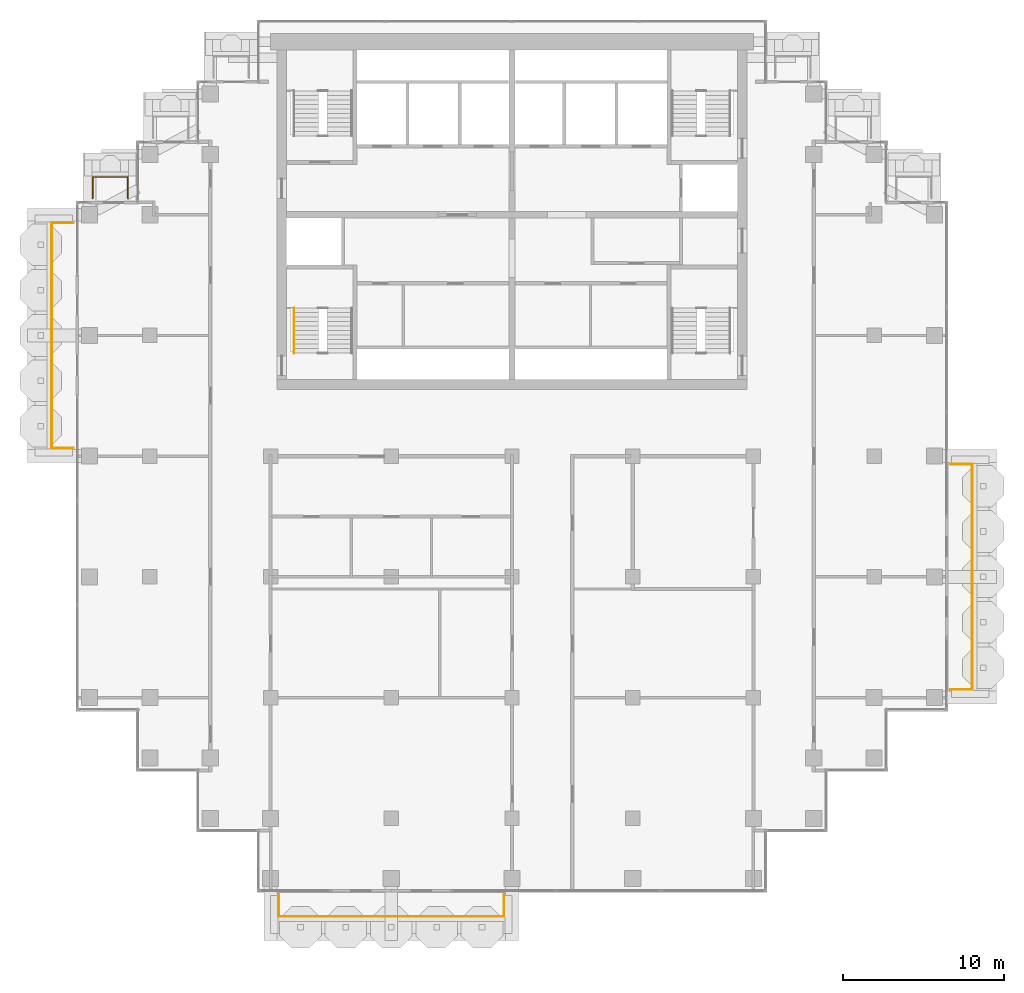
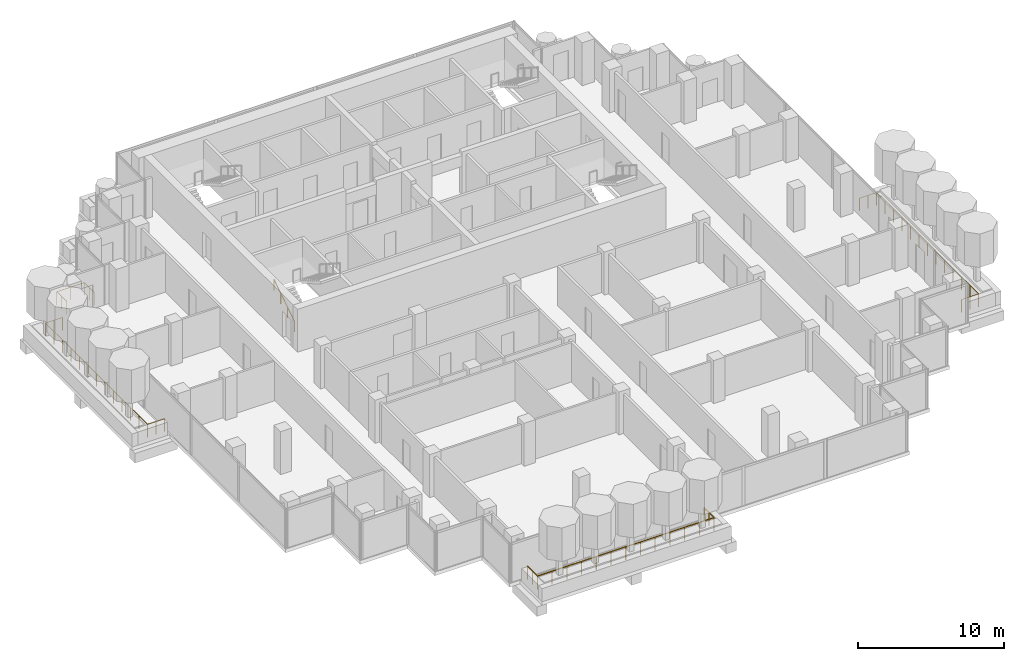
# One storey, part 16 of 18: 5 railings.
"""IFC4 building model written with IfcOpenShell, lengths in metres."""

from ifc_helpers import new_model, si_unit, direction, frame, origin, origin_2d, place, context, subcontext, project, spatial, circle, extrude, material, type_object, element, save


model = new_model("IFC4")

# Units and contexts
model_context = context("Model", 3, precision=1e-05, world=origin(), true_north=direction((0.0, 1.0)))
body_context = subcontext(model_context, "Body", "Model", "MODEL_VIEW")
ifc_project = project(units=[si_unit("LENGTHUNIT", "METRE"), si_unit("AREAUNIT", "SQUARE_METRE"), si_unit("VOLUMEUNIT", "CUBIC_METRE"), si_unit("PLANEANGLEUNIT", "RADIAN"), si_unit("MASSUNIT", "GRAM", prefix="KILO")], contexts=[model_context])

# Site, building, storey
site_placement = place(None, origin())
site = spatial("IfcSite", under=ifc_project, at=site_placement, CompositionType="ELEMENT")
building_placement = place(site_placement, origin())
building = spatial("IfcBuilding", under=site, at=building_placement, Name="Pilkhan Gate Tower", CompositionType="ELEMENT")
storey_placement = place(building_placement, frame((0.0, 0.0, 199.5)))
storey = spatial("IfcBuildingStorey", under=building, at=storey_placement, Name="L51", CompositionType="ELEMENT", Elevation=199.5)

# Railings
ifc_material_1 = material(Name="Pale anodised aluminium posts, laminated glass infill", Category="aluminium")
railing_type_1 = type_object("IfcRailingType", Name="Balcony guard G1", PredefinedType="BALUSTRADE", material=ifc_material_1)
railing_1_placement = place(storey_placement, frame((60.5, 40.25, 0.0)))
element("IfcRailing", 1, at=railing_1_placement, inside=storey, type_object=railing_type_1, Name="Balcony guard L51 S", PredefinedType="BALUSTRADE", context=body_context, shape_type="SweptSolid", body=[
    extrude(circle(Radius=0.02392578125, at=origin_2d()), frame((0.0, 0.0, 1.076171875), z_axis=(0.0, -1.0, 0.0), x_axis=(1.0, 0.0, 0.0)), (0.0, 0.0, 1.0), 1.35009765625),
    extrude(circle(Radius=0.02392578125, at=origin_2d()), frame((0.0, -1.35009765625, 1.076171875), z_axis=(1.0, 0.0, 0.0), x_axis=(0.0, 1.0, 0.0)), (0.0, 0.0, 1.0), 14.0),
    extrude(circle(Radius=0.02392578125, at=origin_2d()), frame((14.0, -1.35009765625, 1.076171875), z_axis=(0.0, 1.0, 0.0), x_axis=(-1.0, 0.0, 0.0)), (0.0, 0.0, 1.0), 1.35009765625),
    extrude(circle(Radius=0.02099609375, at=origin_2d()), origin(), (0.0, 0.0, 1.0), 1.052001953125),
    extrude(circle(Radius=0.02099609375, at=origin_2d()), frame((0.0, -0.675048828125, 0.0)), (0.0, 0.0, 1.0), 1.052001953125),
    extrude(circle(Radius=0.02099609375, at=origin_2d()), frame((0.0, -1.35009765625, 0.0)), (0.0, 0.0, 1.0), 1.052001953125),
    extrude(circle(Radius=0.02099609375, at=origin_2d()), frame((1.166748046875, -1.35009765625, 0.0)), (0.0, 0.0, 1.0), 1.052001953125),
    extrude(circle(Radius=0.02099609375, at=origin_2d()), frame((2.333251953125, -1.35009765625, 0.0)), (0.0, 0.0, 1.0), 1.052001953125),
    extrude(circle(Radius=0.02099609375, at=origin_2d()), frame((3.5, -1.35009765625, 0.0)), (0.0, 0.0, 1.0), 1.052001953125),
    extrude(circle(Radius=0.02099609375, at=origin_2d()), frame((4.666748046875, -1.35009765625, 0.0)), (0.0, 0.0, 1.0), 1.052001953125),
    extrude(circle(Radius=0.02099609375, at=origin_2d()), frame((5.833251953125, -1.35009765625, 0.0)), (0.0, 0.0, 1.0), 1.052001953125),
    extrude(circle(Radius=0.02099609375, at=origin_2d()), frame((7.0, -1.35009765625, 0.0)), (0.0, 0.0, 1.0), 1.052001953125),
    extrude(circle(Radius=0.02099609375, at=origin_2d()), frame((8.166748046875, -1.35009765625, 0.0)), (0.0, 0.0, 1.0), 1.052001953125),
    extrude(circle(Radius=0.02099609375, at=origin_2d()), frame((9.333251953125, -1.35009765625, 0.0)), (0.0, 0.0, 1.0), 1.052001953125),
    extrude(circle(Radius=0.02099609375, at=origin_2d()), frame((10.5, -1.35009765625, 0.0)), (0.0, 0.0, 1.0), 1.052001953125),
    extrude(circle(Radius=0.02099609375, at=origin_2d()), frame((11.666748046875, -1.35009765625, 0.0)), (0.0, 0.0, 1.0), 1.052001953125),
    extrude(circle(Radius=0.02099609375, at=origin_2d()), frame((12.833251953125, -1.35009765625, 0.0)), (0.0, 0.0, 1.0), 1.052001953125),
    extrude(circle(Radius=0.02099609375, at=origin_2d()), frame((14.0, -1.35009765625, 0.0)), (0.0, 0.0, 1.0), 1.052001953125),
    extrude(circle(Radius=0.02099609375, at=origin_2d()), frame((14.0, -0.675048828125, 0.0)), (0.0, 0.0, 1.0), 1.052001953125),
    extrude(circle(Radius=0.02099609375, at=origin_2d()), frame((14.0, 0.0, 0.0)), (0.0, 0.0, 1.0), 1.052001953125),
])
railing_2_placement = place(storey_placement, frame((102.25, 53.0, 0.0)))
element("IfcRailing", 2, at=railing_2_placement, inside=storey, type_object=railing_type_1, Name="Balcony guard L51 E", PredefinedType="BALUSTRADE", context=body_context, shape_type="SweptSolid", body=[
    extrude(circle(Radius=0.02392578125, at=origin_2d()), frame((0.0, 0.0, 1.076171875), z_axis=(1.0, 0.0, 0.0), x_axis=(0.0, 1.0, 0.0)), (0.0, 0.0, 1.0), 1.35009765625),
    extrude(circle(Radius=0.02392578125, at=origin_2d()), frame((1.35009765625, 0.0, 1.076171875), z_axis=(0.0, 1.0, 0.0), x_axis=(-1.0, 0.0, 0.0)), (0.0, 0.0, 1.0), 14.0),
    extrude(circle(Radius=0.02392578125, at=origin_2d()), frame((1.35009765625, 14.0, 1.076171875), z_axis=(-1.0, 0.0, 0.0), x_axis=(0.0, -1.0, 0.0)), (0.0, 0.0, 1.0), 1.35009765625),
    extrude(circle(Radius=0.02099609375, at=origin_2d()), origin(), (0.0, 0.0, 1.0), 1.052001953125),
    extrude(circle(Radius=0.02099609375, at=origin_2d()), frame((0.675048828125, 0.0, 0.0)), (0.0, 0.0, 1.0), 1.052001953125),
    extrude(circle(Radius=0.02099609375, at=origin_2d()), frame((1.35009765625, 0.0, 0.0)), (0.0, 0.0, 1.0), 1.052001953125),
    extrude(circle(Radius=0.02099609375, at=origin_2d()), frame((1.35009765625, 1.166748046875, 0.0)), (0.0, 0.0, 1.0), 1.052001953125),
    extrude(circle(Radius=0.02099609375, at=origin_2d()), frame((1.35009765625, 2.333251953125, 0.0)), (0.0, 0.0, 1.0), 1.052001953125),
    extrude(circle(Radius=0.02099609375, at=origin_2d()), frame((1.35009765625, 3.5, 0.0)), (0.0, 0.0, 1.0), 1.052001953125),
    extrude(circle(Radius=0.02099609375, at=origin_2d()), frame((1.35009765625, 4.666748046875, 0.0)), (0.0, 0.0, 1.0), 1.052001953125),
    extrude(circle(Radius=0.02099609375, at=origin_2d()), frame((1.35009765625, 5.833251953125, 0.0)), (0.0, 0.0, 1.0), 1.052001953125),
    extrude(circle(Radius=0.02099609375, at=origin_2d()), frame((1.35009765625, 7.0, 0.0)), (0.0, 0.0, 1.0), 1.052001953125),
    extrude(circle(Radius=0.02099609375, at=origin_2d()), frame((1.35009765625, 8.166748046875, 0.0)), (0.0, 0.0, 1.0), 1.052001953125),
    extrude(circle(Radius=0.02099609375, at=origin_2d()), frame((1.35009765625, 9.333251953125, 0.0)), (0.0, 0.0, 1.0), 1.052001953125),
    extrude(circle(Radius=0.02099609375, at=origin_2d()), frame((1.35009765625, 10.5, 0.0)), (0.0, 0.0, 1.0), 1.052001953125),
    extrude(circle(Radius=0.02099609375, at=origin_2d()), frame((1.35009765625, 11.666748046875, 0.0)), (0.0, 0.0, 1.0), 1.052001953125),
    extrude(circle(Radius=0.02099609375, at=origin_2d()), frame((1.35009765625, 12.833251953125, 0.0)), (0.0, 0.0, 1.0), 1.052001953125),
    extrude(circle(Radius=0.02099609375, at=origin_2d()), frame((1.35009765625, 14.0, 0.0)), (0.0, 0.0, 1.0), 1.052001953125),
    extrude(circle(Radius=0.02099609375, at=origin_2d()), frame((0.675048828125, 14.0, 0.0)), (0.0, 0.0, 1.0), 1.052001953125),
    extrude(circle(Radius=0.02099609375, at=origin_2d()), frame((0.0, 14.0, 0.0)), (0.0, 0.0, 1.0), 1.052001953125),
])
railing_3_placement = place(storey_placement, frame((48.949951171875, 83.52001953125, 0.0)))
element("IfcRailing", 3, at=railing_3_placement, inside=storey, type_object=railing_type_1, Name="Balcony guard L51 N", PredefinedType="BALUSTRADE", context=body_context, shape_type="SweptSolid", body=[
    extrude(circle(Radius=0.02392578125, at=origin_2d()), frame((0.0, 0.0, 1.076171875), z_axis=(0.0, 1.0, 0.0), x_axis=(-1.0, 0.0, 0.0)), (0.0, 0.0, 1.0), 1.330078125),
    extrude(circle(Radius=0.02392578125, at=origin_2d()), frame((0.0, 1.330078125, 1.076171875), z_axis=(1.0, 0.0, 0.0), x_axis=(0.0, 1.0, 0.0)), (0.0, 0.0, 1.0), 2.179931640625),
    extrude(circle(Radius=0.02392578125, at=origin_2d()), frame((2.179931640625, 1.330078125, 1.076171875), z_axis=(0.0, -1.0, 0.0), x_axis=(1.0, 0.0, 0.0)), (0.0, 0.0, 1.0), 1.330078125),
    extrude(circle(Radius=0.02099609375, at=origin_2d()), origin(), (0.0, 0.0, 1.0), 1.052001953125),
    extrude(circle(Radius=0.02099609375, at=origin_2d()), frame((0.0, 0.6650390625, 0.0)), (0.0, 0.0, 1.0), 1.052001953125),
    extrude(circle(Radius=0.02099609375, at=origin_2d()), frame((0.0, 1.330078125, 0.0)), (0.0, 0.0, 1.0), 1.052001953125),
    extrude(circle(Radius=0.02099609375, at=origin_2d()), frame((1.08984375, 1.330078125, 0.0)), (0.0, 0.0, 1.0), 1.052001953125),
    extrude(circle(Radius=0.02099609375, at=origin_2d()), frame((2.179931640625, 1.330078125, 0.0)), (0.0, 0.0, 1.0), 1.052001953125),
    extrude(circle(Radius=0.02099609375, at=origin_2d()), frame((2.179931640625, 0.6650390625, 0.0)), (0.0, 0.0, 1.0), 1.052001953125),
    extrude(circle(Radius=0.02099609375, at=origin_2d()), frame((2.179931640625, 0.0, 0.0)), (0.0, 0.0, 1.0), 1.052001953125),
])
railing_4_placement = place(storey_placement, frame((47.75, 68.0, 0.0)))
element("IfcRailing", 4, at=railing_4_placement, inside=storey, type_object=railing_type_1, Name="Balcony guard L51 W", PredefinedType="BALUSTRADE", context=body_context, shape_type="SweptSolid", body=[
    extrude(circle(Radius=0.02392578125, at=origin_2d()), frame((0.0, 0.0, 1.076171875), z_axis=(-1.0, 0.0, 0.0), x_axis=(0.0, -1.0, 0.0)), (0.0, 0.0, 1.0), 1.35009765625),
    extrude(circle(Radius=0.02392578125, at=origin_2d()), frame((-1.35009765625, 0.0, 1.076171875), z_axis=(0.0, 1.0, 0.0), x_axis=(-1.0, 0.0, 0.0)), (0.0, 0.0, 1.0), 14.0),
    extrude(circle(Radius=0.02392578125, at=origin_2d()), frame((-1.35009765625, 14.0, 1.076171875), z_axis=(1.0, 0.0, 0.0), x_axis=(0.0, 1.0, 0.0)), (0.0, 0.0, 1.0), 1.35009765625),
    extrude(circle(Radius=0.02099609375, at=origin_2d()), origin(), (0.0, 0.0, 1.0), 1.052001953125),
    extrude(circle(Radius=0.02099609375, at=origin_2d()), frame((-0.675048828125, 0.0, 0.0)), (0.0, 0.0, 1.0), 1.052001953125),
    extrude(circle(Radius=0.02099609375, at=origin_2d()), frame((-1.35009765625, 0.0, 0.0)), (0.0, 0.0, 1.0), 1.052001953125),
    extrude(circle(Radius=0.02099609375, at=origin_2d()), frame((-1.35009765625, 1.166748046875, 0.0)), (0.0, 0.0, 1.0), 1.052001953125),
    extrude(circle(Radius=0.02099609375, at=origin_2d()), frame((-1.35009765625, 2.333251953125, 0.0)), (0.0, 0.0, 1.0), 1.052001953125),
    extrude(circle(Radius=0.02099609375, at=origin_2d()), frame((-1.35009765625, 3.5, 0.0)), (0.0, 0.0, 1.0), 1.052001953125),
    extrude(circle(Radius=0.02099609375, at=origin_2d()), frame((-1.35009765625, 4.666748046875, 0.0)), (0.0, 0.0, 1.0), 1.052001953125),
    extrude(circle(Radius=0.02099609375, at=origin_2d()), frame((-1.35009765625, 5.833251953125, 0.0)), (0.0, 0.0, 1.0), 1.052001953125),
    extrude(circle(Radius=0.02099609375, at=origin_2d()), frame((-1.35009765625, 7.0, 0.0)), (0.0, 0.0, 1.0), 1.052001953125),
    extrude(circle(Radius=0.02099609375, at=origin_2d()), frame((-1.35009765625, 8.166748046875, 0.0)), (0.0, 0.0, 1.0), 1.052001953125),
    extrude(circle(Radius=0.02099609375, at=origin_2d()), frame((-1.35009765625, 9.333251953125, 0.0)), (0.0, 0.0, 1.0), 1.052001953125),
    extrude(circle(Radius=0.02099609375, at=origin_2d()), frame((-1.35009765625, 10.5, 0.0)), (0.0, 0.0, 1.0), 1.052001953125),
    extrude(circle(Radius=0.02099609375, at=origin_2d()), frame((-1.35009765625, 11.666748046875, 0.0)), (0.0, 0.0, 1.0), 1.052001953125),
    extrude(circle(Radius=0.02099609375, at=origin_2d()), frame((-1.35009765625, 12.833251953125, 0.0)), (0.0, 0.0, 1.0), 1.052001953125),
    extrude(circle(Radius=0.02099609375, at=origin_2d()), frame((-1.35009765625, 14.0, 0.0)), (0.0, 0.0, 1.0), 1.052001953125),
    extrude(circle(Radius=0.02099609375, at=origin_2d()), frame((-0.675048828125, 14.0, 0.0)), (0.0, 0.0, 1.0), 1.052001953125),
    extrude(circle(Radius=0.02099609375, at=origin_2d()), frame((0.0, 14.0, 0.0)), (0.0, 0.0, 1.0), 1.052001953125),
])
ifc_material_2 = material(Name="Black powder-coated steel tube", Category="steel")
railing_type_2 = type_object("IfcRailingType", Name="Stair handrail HR1", PredefinedType="HANDRAIL", material=ifc_material_2)
railing_5_placement = place(storey_placement, frame((61.449951171875, 73.89990234375, 0.0)))
element("IfcRailing", 5, at=railing_5_placement, inside=storey, type_object=railing_type_2, Name="Stair ST2 handrail L51", PredefinedType="HANDRAIL", context=body_context, shape_type="SweptSolid", body=[
    extrude(circle(Radius=0.02392578125, at=origin_2d()), frame((0.0, 0.0, 0.8759765625), z_axis=(0.0, 0.841176092368, 0.540761298198), x_axis=(-1.0, 0.0, 0.0)), (0.0, 0.0, 1.0), 3.32861328125),
    extrude(circle(Radius=0.02099609375, at=origin_2d()), origin(), (0.0, 0.0, 1.0), 0.851806640625),
    extrude(circle(Radius=0.02099609375, at=origin_2d()), frame((0.0, 0.933349609375, 0.60009765625)), (0.0, 0.0, 1.0), 0.851806640625),
    extrude(circle(Radius=0.02099609375, at=origin_2d()), frame((0.0, 1.86669921875, 1.199951171875)), (0.0, 0.0, 1.0), 0.851806640625),
    extrude(circle(Radius=0.02099609375, at=origin_2d()), frame((0.0, 2.800048828125, 1.800048828125)), (0.0, 0.0, 1.0), 0.851806640625),
])

save(model, "model.ifc")
